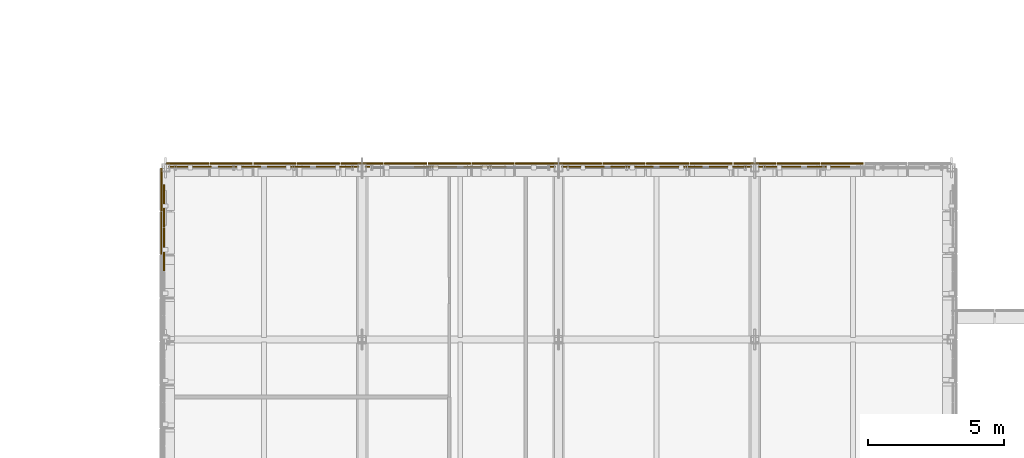
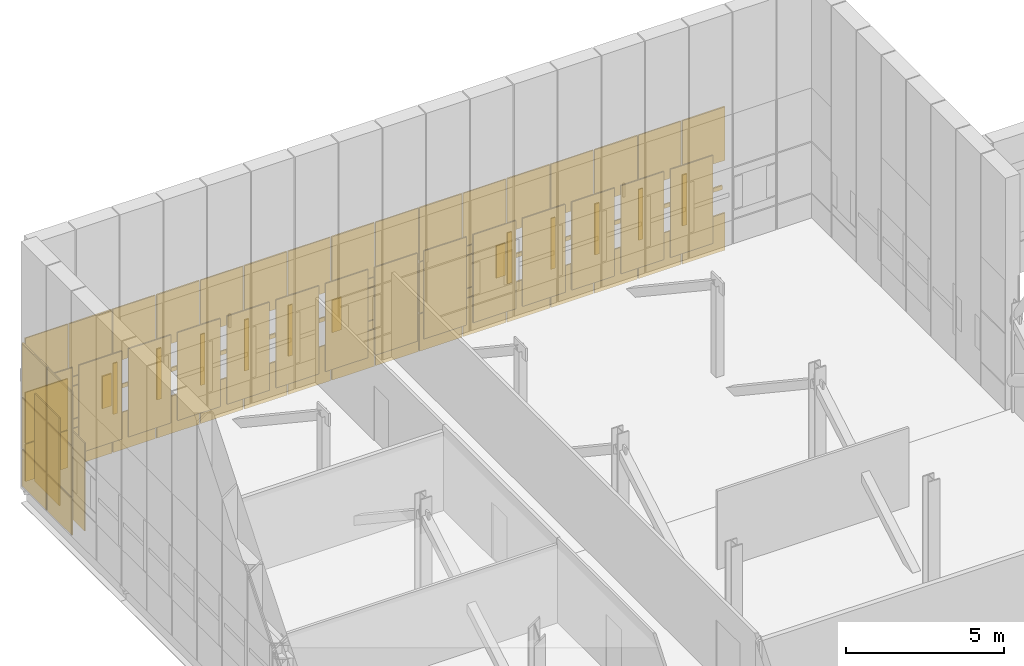
# One storey, part 138 of 144: 73 coverings, 16 shading devices.
"""IFC4 building model written with IfcOpenShell, lengths in metres."""

from ifc_helpers import new_model, si_unit, direction, frame, origin, origin_2d, place, context, subcontext, project, spatial, rectangle, extrude, material, layer, layer_set, type_object, element, save


model = new_model("IFC4")

# Units and contexts
model_context = context("Model", 3, precision=1e-05, world=origin(), true_north=direction((0.0, 1.0)))
body_context = subcontext(model_context, "Body", "Model", "MODEL_VIEW")
ifc_project = project(units=[si_unit("LENGTHUNIT", "METRE"), si_unit("AREAUNIT", "SQUARE_METRE"), si_unit("VOLUMEUNIT", "CUBIC_METRE"), si_unit("PLANEANGLEUNIT", "RADIAN"), si_unit("MASSUNIT", "GRAM", prefix="KILO")], contexts=[model_context])

# Site, building, storey
site_placement = place(None, origin())
site = spatial("IfcSite", under=ifc_project, at=site_placement, CompositionType="ELEMENT")
building_placement = place(site_placement, origin())
building = spatial("IfcBuilding", under=site, at=building_placement, Name="Yarey Park Central Fire Station", CompositionType="ELEMENT")
storey_placement = place(building_placement, frame((0.0, 0.0, 10.199951171875)))
storey = spatial("IfcBuildingStorey", under=building, at=storey_placement, Name="L03", CompositionType="ELEMENT", Elevation=10.199951171875)

# Coverings
ifc_material_1 = material(Name="Perforated Powder-Coated Aluminium Cladding", Category="aluminium")
ifc_layer_1 = layer(ifc_material_1, 0.0419921875)
ifc_layer_set_1 = layer_set([ifc_layer_1], Name="Perforated Powder-Coated Aluminium Cladding")
covering_type_1 = type_object("IfcCoveringType", Name="ENV_COV_PERF_1", PredefinedType="CLADDING", material=ifc_layer_set_1)
covering_1_placement = place(storey_placement, frame((28.639892578125, 96.611572265625, -0.5048828125), z_axis=(0.0, 0.0, 1.0), x_axis=(0.0, 1.0, 0.0)))
element("IfcCovering", 1, at=covering_1_placement, inside=storey, type_object=covering_type_1, Name="PERF_L03_0773", PredefinedType="CLADDING", context=body_context, shape_type="SweptSolid", body=[
    extrude(rectangle(XDim=1.55224609375, YDim=0.0419921875, at=origin_2d()), origin(), (0.0, 0.0, 1.0), 1.43994140625),
])
covering_2_placement = place(storey_placement, frame((28.639892578125, 96.611572265625, 0.96484375), z_axis=(0.0, 0.0, 1.0), x_axis=(0.0, 1.0, 0.0)))
element("IfcCovering", 2, at=covering_2_placement, inside=storey, type_object=covering_type_1, Name="PERF_L03_0774", PredefinedType="CLADDING", context=body_context, shape_type="SweptSolid", body=[
    extrude(rectangle(XDim=1.55224609375, YDim=0.0419921875, at=origin_2d()), origin(), (0.0, 0.0, 1.0), 1.969970703125),
])
covering_3_placement = place(storey_placement, frame((28.639892578125, 96.611572265625, 2.96484375), z_axis=(0.0, 0.0, 1.0), x_axis=(0.0, 1.0, 0.0)))
element("IfcCovering", 3, at=covering_3_placement, inside=storey, type_object=covering_type_1, Name="PERF_L03_0775", PredefinedType="CLADDING", context=body_context, shape_type="SweptSolid", body=[
    extrude(rectangle(XDim=1.55224609375, YDim=0.0419921875, at=origin_2d()), origin(), (0.0, 0.0, 1.0), 2.070068359375),
])
covering_4_placement = place(storey_placement, frame((29.60009765625, 99.159912109375, -0.5048828125), z_axis=(0.0, 0.0, 1.0), x_axis=(1.0, 0.0, 0.0)))
element("IfcCovering", 4, at=covering_4_placement, inside=storey, type_object=covering_type_1, Name="PERF_L03_0783", PredefinedType="CLADDING", context=body_context, shape_type="SweptSolid", body=[
    extrude(rectangle(XDim=1.56005859375, YDim=0.0419921875, at=origin_2d()), origin(), (0.0, 0.0, 1.0), 1.43994140625),
])
covering_5_placement = place(storey_placement, frame((29.60009765625, 99.159912109375, 0.96484375), z_axis=(0.0, 0.0, 1.0), x_axis=(1.0, 0.0, 0.0)))
element("IfcCovering", 5, at=covering_5_placement, inside=storey, type_object=covering_type_1, Name="PERF_L03_0784", PredefinedType="CLADDING", context=body_context, shape_type="SweptSolid", body=[
    extrude(rectangle(XDim=1.56005859375, YDim=0.0419921875, at=origin_2d()), origin(), (0.0, 0.0, 1.0), 1.969970703125),
])
covering_6_placement = place(storey_placement, frame((29.60009765625, 99.159912109375, 2.96484375), z_axis=(0.0, 0.0, 1.0), x_axis=(1.0, 0.0, 0.0)))
element("IfcCovering", 6, at=covering_6_placement, inside=storey, type_object=covering_type_1, Name="PERF_L03_0785", PredefinedType="CLADDING", context=body_context, shape_type="SweptSolid", body=[
    extrude(rectangle(XDim=1.56005859375, YDim=0.0419921875, at=origin_2d()), origin(), (0.0, 0.0, 1.0), 2.070068359375),
])
covering_7_placement = place(storey_placement, frame((32.800048828125, 99.159912109375, -0.5048828125), z_axis=(0.0, 0.0, 1.0), x_axis=(1.0, 0.0, 0.0)))
element("IfcCovering", 7, at=covering_7_placement, inside=storey, type_object=covering_type_1, Name="PERF_L03_0799", PredefinedType="CLADDING", context=body_context, shape_type="SweptSolid", body=[
    extrude(rectangle(XDim=1.56005859375, YDim=0.0419921875, at=origin_2d()), origin(), (0.0, 0.0, 1.0), 1.43994140625),
])
covering_8_placement = place(storey_placement, frame((32.110107421875, 99.159912109375, 0.96484375), z_axis=(0.0, 0.0, 1.0), x_axis=(1.0, 0.0, 0.0)))
element("IfcCovering", 8, at=covering_8_placement, inside=storey, type_object=covering_type_1, Name="PERF_L03_0800", PredefinedType="CLADDING", context=body_context, shape_type="SweptSolid", body=[
    extrude(rectangle(XDim=0.159912109375, YDim=0.0419921875, at=origin_2d()), origin(), (0.0, 0.0, 1.0), 1.969970703125),
])
covering_9_placement = place(storey_placement, frame((32.800048828125, 99.159912109375, 1.8701171875), z_axis=(0.0, 0.0, 1.0), x_axis=(1.0, 0.0, 0.0)))
element("IfcCovering", 9, at=covering_9_placement, inside=storey, type_object=covering_type_1, Name="PERF_L03_0801", PredefinedType="CLADDING", context=body_context, shape_type="SweptSolid", body=[
    extrude(rectangle(XDim=1.360107421875, YDim=0.0419921875, at=origin_2d()), origin(), (0.0, 0.0, 1.0), 0.159912109375),
])
covering_10_placement = place(storey_placement, frame((32.800048828125, 99.159912109375, 2.96484375), z_axis=(0.0, 0.0, 1.0), x_axis=(1.0, 0.0, 0.0)))
element("IfcCovering", 10, at=covering_10_placement, inside=storey, type_object=covering_type_1, Name="PERF_L03_0802", PredefinedType="CLADDING", context=body_context, shape_type="SweptSolid", body=[
    extrude(rectangle(XDim=1.56005859375, YDim=0.0419921875, at=origin_2d()), origin(), (0.0, 0.0, 1.0), 2.070068359375),
])
covering_11_placement = place(storey_placement, frame((36.0, 99.159912109375, -0.5048828125), z_axis=(0.0, 0.0, 1.0), x_axis=(1.0, 0.0, 0.0)))
element("IfcCovering", 11, at=covering_11_placement, inside=storey, type_object=covering_type_1, Name="PERF_L03_0813", PredefinedType="CLADDING", context=body_context, shape_type="SweptSolid", body=[
    extrude(rectangle(XDim=1.56005859375, YDim=0.0419921875, at=origin_2d()), origin(), (0.0, 0.0, 1.0), 1.43994140625),
])
covering_12_placement = place(storey_placement, frame((35.31005859375, 99.159912109375, 0.96484375), z_axis=(0.0, 0.0, 1.0), x_axis=(1.0, 0.0, 0.0)))
element("IfcCovering", 12, at=covering_12_placement, inside=storey, type_object=covering_type_1, Name="PERF_L03_0814", PredefinedType="CLADDING", context=body_context, shape_type="SweptSolid", body=[
    extrude(rectangle(XDim=0.159912109375, YDim=0.0419921875, at=origin_2d()), origin(), (0.0, 0.0, 1.0), 1.969970703125),
])
covering_13_placement = place(storey_placement, frame((36.0, 99.159912109375, 1.8701171875), z_axis=(0.0, 0.0, 1.0), x_axis=(1.0, 0.0, 0.0)))
element("IfcCovering", 13, at=covering_13_placement, inside=storey, type_object=covering_type_1, Name="PERF_L03_0815", PredefinedType="CLADDING", context=body_context, shape_type="SweptSolid", body=[
    extrude(rectangle(XDim=1.360107421875, YDim=0.0419921875, at=origin_2d()), origin(), (0.0, 0.0, 1.0), 0.159912109375),
])
covering_14_placement = place(storey_placement, frame((36.0, 99.159912109375, 2.96484375), z_axis=(0.0, 0.0, 1.0), x_axis=(1.0, 0.0, 0.0)))
element("IfcCovering", 14, at=covering_14_placement, inside=storey, type_object=covering_type_1, Name="PERF_L03_0816", PredefinedType="CLADDING", context=body_context, shape_type="SweptSolid", body=[
    extrude(rectangle(XDim=1.56005859375, YDim=0.0419921875, at=origin_2d()), origin(), (0.0, 0.0, 1.0), 2.070068359375),
])
covering_15_placement = place(storey_placement, frame((39.199951171875, 99.159912109375, -0.5048828125), z_axis=(0.0, 0.0, 1.0), x_axis=(1.0, 0.0, 0.0)))
element("IfcCovering", 15, at=covering_15_placement, inside=storey, type_object=covering_type_1, Name="PERF_L03_0827", PredefinedType="CLADDING", context=body_context, shape_type="SweptSolid", body=[
    extrude(rectangle(XDim=1.56005859375, YDim=0.0419921875, at=origin_2d()), origin(), (0.0, 0.0, 1.0), 1.43994140625),
])
covering_16_placement = place(storey_placement, frame((38.510009765625, 99.159912109375, 0.96484375), z_axis=(0.0, 0.0, 1.0), x_axis=(1.0, 0.0, 0.0)))
element("IfcCovering", 16, at=covering_16_placement, inside=storey, type_object=covering_type_1, Name="PERF_L03_0828", PredefinedType="CLADDING", context=body_context, shape_type="SweptSolid", body=[
    extrude(rectangle(XDim=0.159912109375, YDim=0.0419921875, at=origin_2d()), origin(), (0.0, 0.0, 1.0), 1.969970703125),
])
covering_17_placement = place(storey_placement, frame((39.199951171875, 99.159912109375, 1.8701171875), z_axis=(0.0, 0.0, 1.0), x_axis=(1.0, 0.0, 0.0)))
element("IfcCovering", 17, at=covering_17_placement, inside=storey, type_object=covering_type_1, Name="PERF_L03_0829", PredefinedType="CLADDING", context=body_context, shape_type="SweptSolid", body=[
    extrude(rectangle(XDim=1.360107421875, YDim=0.0419921875, at=origin_2d()), origin(), (0.0, 0.0, 1.0), 0.159912109375),
])
covering_18_placement = place(storey_placement, frame((39.199951171875, 99.159912109375, 2.96484375), z_axis=(0.0, 0.0, 1.0), x_axis=(1.0, 0.0, 0.0)))
element("IfcCovering", 18, at=covering_18_placement, inside=storey, type_object=covering_type_1, Name="PERF_L03_0830", PredefinedType="CLADDING", context=body_context, shape_type="SweptSolid", body=[
    extrude(rectangle(XDim=1.56005859375, YDim=0.0419921875, at=origin_2d()), origin(), (0.0, 0.0, 1.0), 2.070068359375),
])
covering_19_placement = place(storey_placement, frame((42.39990234375, 99.159912109375, -0.5048828125), z_axis=(0.0, 0.0, 1.0), x_axis=(1.0, 0.0, 0.0)))
element("IfcCovering", 19, at=covering_19_placement, inside=storey, type_object=covering_type_1, Name="PERF_L03_0845", PredefinedType="CLADDING", context=body_context, shape_type="SweptSolid", body=[
    extrude(rectangle(XDim=1.56005859375, YDim=0.0419921875, at=origin_2d()), origin(), (0.0, 0.0, 1.0), 1.43994140625),
])
covering_20_placement = place(storey_placement, frame((42.39990234375, 99.159912109375, 0.96484375), z_axis=(0.0, 0.0, 1.0), x_axis=(1.0, 0.0, 0.0)))
element("IfcCovering", 20, at=covering_20_placement, inside=storey, type_object=covering_type_1, Name="PERF_L03_0846", PredefinedType="CLADDING", context=body_context, shape_type="SweptSolid", body=[
    extrude(rectangle(XDim=1.56005859375, YDim=0.0419921875, at=origin_2d()), origin(), (0.0, 0.0, 1.0), 1.969970703125),
])
covering_21_placement = place(storey_placement, frame((42.39990234375, 99.159912109375, 2.96484375), z_axis=(0.0, 0.0, 1.0), x_axis=(1.0, 0.0, 0.0)))
element("IfcCovering", 21, at=covering_21_placement, inside=storey, type_object=covering_type_1, Name="PERF_L03_0847", PredefinedType="CLADDING", context=body_context, shape_type="SweptSolid", body=[
    extrude(rectangle(XDim=1.56005859375, YDim=0.0419921875, at=origin_2d()), origin(), (0.0, 0.0, 1.0), 2.070068359375),
])
covering_22_placement = place(storey_placement, frame((45.60009765625, 99.159912109375, -0.5048828125), z_axis=(0.0, 0.0, 1.0), x_axis=(1.0, 0.0, 0.0)))
element("IfcCovering", 22, at=covering_22_placement, inside=storey, type_object=covering_type_1, Name="PERF_L03_0855", PredefinedType="CLADDING", context=body_context, shape_type="SweptSolid", body=[
    extrude(rectangle(XDim=1.56005859375, YDim=0.0419921875, at=origin_2d()), origin(), (0.0, 0.0, 1.0), 1.43994140625),
])
for number, where, z_axis, x_axis, name in (
    (23, (45.60009765625, 99.159912109375, 0.9599609375), (0.0, 0.0, 1.0), (1.0, 0.0, 0.0), "PERF_L03_0856"),
    (24, (45.60009765625, 99.159912109375, 2.60009765625), (0.0, 0.0, 1.0), (1.0, 0.0, 0.0), "PERF_L03_0857"),
):
    element("IfcCovering", number, at=place(storey_placement, frame(where, z_axis=z_axis, x_axis=x_axis)), inside=storey, type_object=covering_type_1, Name=name, PredefinedType="CLADDING", context=body_context, shape_type="SweptSolid", body=[
        extrude(rectangle(XDim=1.56005859375, YDim=0.0419921875, at=origin_2d()), origin(), (0.0, 0.0, 1.0), 0.340087890625),
    ])
for number, where, z_axis, x_axis, name in (
    (25, (45.0, 99.159912109375, 1.324951171875), (0.0, 0.0, 1.0), (1.0, 0.0, 0.0), "PERF_L03_0858"),
    (26, (46.199951171875, 99.159912109375, 1.324951171875), (0.0, 0.0, 1.0), (1.0, 0.0, 0.0), "PERF_L03_0859"),
):
    element("IfcCovering", number, at=place(storey_placement, frame(where, z_axis=z_axis, x_axis=x_axis)), inside=storey, type_object=covering_type_1, Name=name, PredefinedType="CLADDING", context=body_context, shape_type="SweptSolid", body=[
        extrude(rectangle(XDim=0.340087890625, YDim=0.0419921875, at=origin_2d()), origin(), (0.0, 0.0, 1.0), 1.25),
    ])
covering_23_placement = place(storey_placement, frame((45.60009765625, 99.159912109375, 2.96484375), z_axis=(0.0, 0.0, 1.0), x_axis=(1.0, 0.0, 0.0)))
element("IfcCovering", 27, at=covering_23_placement, inside=storey, type_object=covering_type_1, Name="PERF_L03_0860", PredefinedType="CLADDING", context=body_context, shape_type="SweptSolid", body=[
    extrude(rectangle(XDim=1.56005859375, YDim=0.0419921875, at=origin_2d()), origin(), (0.0, 0.0, 1.0), 2.070068359375),
])
covering_24_placement = place(storey_placement, frame((48.800048828125, 99.159912109375, -0.5048828125), z_axis=(0.0, 0.0, 1.0), x_axis=(1.0, 0.0, 0.0)))
element("IfcCovering", 28, at=covering_24_placement, inside=storey, type_object=covering_type_1, Name="PERF_L03_0873", PredefinedType="CLADDING", context=body_context, shape_type="SweptSolid", body=[
    extrude(rectangle(XDim=1.56005859375, YDim=0.0419921875, at=origin_2d()), origin(), (0.0, 0.0, 1.0), 1.43994140625),
])
covering_25_placement = place(storey_placement, frame((48.110107421875, 99.159912109375, 0.96484375), z_axis=(0.0, 0.0, 1.0), x_axis=(1.0, 0.0, 0.0)))
element("IfcCovering", 29, at=covering_25_placement, inside=storey, type_object=covering_type_1, Name="PERF_L03_0874", PredefinedType="CLADDING", context=body_context, shape_type="SweptSolid", body=[
    extrude(rectangle(XDim=0.159912109375, YDim=0.0419921875, at=origin_2d()), origin(), (0.0, 0.0, 1.0), 1.969970703125),
])
covering_26_placement = place(storey_placement, frame((48.800048828125, 99.159912109375, 1.8701171875), z_axis=(0.0, 0.0, 1.0), x_axis=(1.0, 0.0, 0.0)))
element("IfcCovering", 30, at=covering_26_placement, inside=storey, type_object=covering_type_1, Name="PERF_L03_0875", PredefinedType="CLADDING", context=body_context, shape_type="SweptSolid", body=[
    extrude(rectangle(XDim=1.360107421875, YDim=0.0419921875, at=origin_2d()), origin(), (0.0, 0.0, 1.0), 0.159912109375),
])
covering_27_placement = place(storey_placement, frame((48.800048828125, 99.159912109375, 2.96484375), z_axis=(0.0, 0.0, 1.0), x_axis=(1.0, 0.0, 0.0)))
element("IfcCovering", 31, at=covering_27_placement, inside=storey, type_object=covering_type_1, Name="PERF_L03_0876", PredefinedType="CLADDING", context=body_context, shape_type="SweptSolid", body=[
    extrude(rectangle(XDim=1.56005859375, YDim=0.0419921875, at=origin_2d()), origin(), (0.0, 0.0, 1.0), 2.070068359375),
])
covering_28_placement = place(storey_placement, frame((52.0, 99.159912109375, -0.5048828125), z_axis=(0.0, 0.0, 1.0), x_axis=(1.0, 0.0, 0.0)))
element("IfcCovering", 32, at=covering_28_placement, inside=storey, type_object=covering_type_1, Name="PERF_L03_0887", PredefinedType="CLADDING", context=body_context, shape_type="SweptSolid", body=[
    extrude(rectangle(XDim=1.56005859375, YDim=0.0419921875, at=origin_2d()), origin(), (0.0, 0.0, 1.0), 1.43994140625),
])
covering_29_placement = place(storey_placement, frame((51.31005859375, 99.159912109375, 0.96484375), z_axis=(0.0, 0.0, 1.0), x_axis=(1.0, 0.0, 0.0)))
element("IfcCovering", 33, at=covering_29_placement, inside=storey, type_object=covering_type_1, Name="PERF_L03_0888", PredefinedType="CLADDING", context=body_context, shape_type="SweptSolid", body=[
    extrude(rectangle(XDim=0.159912109375, YDim=0.0419921875, at=origin_2d()), origin(), (0.0, 0.0, 1.0), 1.969970703125),
])
covering_30_placement = place(storey_placement, frame((52.0, 99.159912109375, 1.8701171875), z_axis=(0.0, 0.0, 1.0), x_axis=(1.0, 0.0, 0.0)))
element("IfcCovering", 34, at=covering_30_placement, inside=storey, type_object=covering_type_1, Name="PERF_L03_0889", PredefinedType="CLADDING", context=body_context, shape_type="SweptSolid", body=[
    extrude(rectangle(XDim=1.360107421875, YDim=0.0419921875, at=origin_2d()), origin(), (0.0, 0.0, 1.0), 0.159912109375),
])
covering_31_placement = place(storey_placement, frame((52.0, 99.159912109375, 2.96484375), z_axis=(0.0, 0.0, 1.0), x_axis=(1.0, 0.0, 0.0)))
element("IfcCovering", 35, at=covering_31_placement, inside=storey, type_object=covering_type_1, Name="PERF_L03_0890", PredefinedType="CLADDING", context=body_context, shape_type="SweptSolid", body=[
    extrude(rectangle(XDim=1.56005859375, YDim=0.0419921875, at=origin_2d()), origin(), (0.0, 0.0, 1.0), 2.070068359375),
])
ifc_layer_2 = layer(ifc_material_1, 0.053955078125)
ifc_layer_set_2 = layer_set([ifc_layer_2], Name="Perforated Powder-Coated Aluminium Cladding")
covering_type_2 = type_object("IfcCoveringType", Name="ENV_COV_PERF_2", PredefinedType="CLADDING", material=ifc_layer_set_2)
covering_32_placement = place(storey_placement, frame((28.639892578125, 98.203857421875, -0.5048828125), z_axis=(0.0, 0.0, 1.0), x_axis=(0.0, 1.0, 0.0)))
element("IfcCovering", 36, at=covering_32_placement, inside=storey, type_object=covering_type_2, Name="PERF_L03_0778", PredefinedType="CLADDING", context=body_context, shape_type="SweptSolid", body=[
    extrude(rectangle(XDim=1.55224609375, YDim=0.053955078125, at=origin_2d()), origin(), (0.0, 0.0, 1.0), 1.43994140625),
])
covering_33_placement = place(storey_placement, frame((28.639892578125, 98.203857421875, 0.96484375), z_axis=(0.0, 0.0, 1.0), x_axis=(0.0, 1.0, 0.0)))
element("IfcCovering", 37, at=covering_33_placement, inside=storey, type_object=covering_type_2, Name="PERF_L03_0779", PredefinedType="CLADDING", context=body_context, shape_type="SweptSolid", body=[
    extrude(rectangle(XDim=1.55224609375, YDim=0.053955078125, at=origin_2d()), origin(), (0.0, 0.0, 1.0), 1.969970703125),
])
covering_34_placement = place(storey_placement, frame((28.639892578125, 98.203857421875, 2.96484375), z_axis=(0.0, 0.0, 1.0), x_axis=(0.0, 1.0, 0.0)))
element("IfcCovering", 38, at=covering_34_placement, inside=storey, type_object=covering_type_2, Name="PERF_L03_0780", PredefinedType="CLADDING", context=body_context, shape_type="SweptSolid", body=[
    extrude(rectangle(XDim=1.55224609375, YDim=0.053955078125, at=origin_2d()), origin(), (0.0, 0.0, 1.0), 2.070068359375),
])
covering_35_placement = place(storey_placement, frame((31.199951171875, 99.159912109375, -0.5048828125), z_axis=(0.0, 0.0, 1.0), x_axis=(1.0, 0.0, 0.0)))
element("IfcCovering", 39, at=covering_35_placement, inside=storey, type_object=covering_type_2, Name="PERF_L03_0788", PredefinedType="CLADDING", context=body_context, shape_type="SweptSolid", body=[
    extrude(rectangle(XDim=1.56005859375, YDim=0.053955078125, at=origin_2d()), origin(), (0.0, 0.0, 1.0), 1.43994140625),
])
for number, where, z_axis, x_axis, name in (
    (40, (31.199951171875, 99.159912109375, 0.9599609375), (0.0, 0.0, 1.0), (1.0, 0.0, 0.0), "PERF_L03_0789"),
    (41, (31.199951171875, 99.159912109375, 2.60009765625), (0.0, 0.0, 1.0), (1.0, 0.0, 0.0), "PERF_L03_0790"),
):
    element("IfcCovering", number, at=place(storey_placement, frame(where, z_axis=z_axis, x_axis=x_axis)), inside=storey, type_object=covering_type_2, Name=name, PredefinedType="CLADDING", context=body_context, shape_type="SweptSolid", body=[
        extrude(rectangle(XDim=1.56005859375, YDim=0.053955078125, at=origin_2d()), origin(), (0.0, 0.0, 1.0), 0.340087890625),
    ])
for number, where, z_axis, x_axis, name in (
    (42, (30.60009765625, 99.159912109375, 1.324951171875), (0.0, 0.0, 1.0), (1.0, 0.0, 0.0), "PERF_L03_0791"),
    (43, (31.800048828125, 99.159912109375, 1.324951171875), (0.0, 0.0, 1.0), (1.0, 0.0, 0.0), "PERF_L03_0792"),
):
    element("IfcCovering", number, at=place(storey_placement, frame(where, z_axis=z_axis, x_axis=x_axis)), inside=storey, type_object=covering_type_2, Name=name, PredefinedType="CLADDING", context=body_context, shape_type="SweptSolid", body=[
        extrude(rectangle(XDim=0.340087890625, YDim=0.053955078125, at=origin_2d()), origin(), (0.0, 0.0, 1.0), 1.25),
    ])
covering_36_placement = place(storey_placement, frame((31.199951171875, 99.159912109375, 2.96484375), z_axis=(0.0, 0.0, 1.0), x_axis=(1.0, 0.0, 0.0)))
element("IfcCovering", 44, at=covering_36_placement, inside=storey, type_object=covering_type_2, Name="PERF_L03_0793", PredefinedType="CLADDING", context=body_context, shape_type="SweptSolid", body=[
    extrude(rectangle(XDim=1.56005859375, YDim=0.053955078125, at=origin_2d()), origin(), (0.0, 0.0, 1.0), 2.070068359375),
])
covering_37_placement = place(storey_placement, frame((34.39990234375, 99.159912109375, -0.5048828125), z_axis=(0.0, 0.0, 1.0), x_axis=(1.0, 0.0, 0.0)))
element("IfcCovering", 45, at=covering_37_placement, inside=storey, type_object=covering_type_2, Name="PERF_L03_0806", PredefinedType="CLADDING", context=body_context, shape_type="SweptSolid", body=[
    extrude(rectangle(XDim=1.56005859375, YDim=0.053955078125, at=origin_2d()), origin(), (0.0, 0.0, 1.0), 1.43994140625),
])
covering_38_placement = place(storey_placement, frame((33.7099609375, 99.159912109375, 0.96484375), z_axis=(0.0, 0.0, 1.0), x_axis=(1.0, 0.0, 0.0)))
element("IfcCovering", 46, at=covering_38_placement, inside=storey, type_object=covering_type_2, Name="PERF_L03_0807", PredefinedType="CLADDING", context=body_context, shape_type="SweptSolid", body=[
    extrude(rectangle(XDim=0.159912109375, YDim=0.053955078125, at=origin_2d()), origin(), (0.0, 0.0, 1.0), 1.969970703125),
])
covering_39_placement = place(storey_placement, frame((34.39990234375, 99.159912109375, 1.8701171875), z_axis=(0.0, 0.0, 1.0), x_axis=(1.0, 0.0, 0.0)))
element("IfcCovering", 47, at=covering_39_placement, inside=storey, type_object=covering_type_2, Name="PERF_L03_0808", PredefinedType="CLADDING", context=body_context, shape_type="SweptSolid", body=[
    extrude(rectangle(XDim=1.360107421875, YDim=0.053955078125, at=origin_2d()), origin(), (0.0, 0.0, 1.0), 0.159912109375),
])
covering_40_placement = place(storey_placement, frame((34.39990234375, 99.159912109375, 2.96484375), z_axis=(0.0, 0.0, 1.0), x_axis=(1.0, 0.0, 0.0)))
element("IfcCovering", 48, at=covering_40_placement, inside=storey, type_object=covering_type_2, Name="PERF_L03_0809", PredefinedType="CLADDING", context=body_context, shape_type="SweptSolid", body=[
    extrude(rectangle(XDim=1.56005859375, YDim=0.053955078125, at=origin_2d()), origin(), (0.0, 0.0, 1.0), 2.070068359375),
])
covering_41_placement = place(storey_placement, frame((37.60009765625, 99.159912109375, -0.5048828125), z_axis=(0.0, 0.0, 1.0), x_axis=(1.0, 0.0, 0.0)))
element("IfcCovering", 49, at=covering_41_placement, inside=storey, type_object=covering_type_2, Name="PERF_L03_0820", PredefinedType="CLADDING", context=body_context, shape_type="SweptSolid", body=[
    extrude(rectangle(XDim=1.56005859375, YDim=0.053955078125, at=origin_2d()), origin(), (0.0, 0.0, 1.0), 1.43994140625),
])
covering_42_placement = place(storey_placement, frame((36.909912109375, 99.159912109375, 0.96484375), z_axis=(0.0, 0.0, 1.0), x_axis=(1.0, 0.0, 0.0)))
element("IfcCovering", 50, at=covering_42_placement, inside=storey, type_object=covering_type_2, Name="PERF_L03_0821", PredefinedType="CLADDING", context=body_context, shape_type="SweptSolid", body=[
    extrude(rectangle(XDim=0.159912109375, YDim=0.053955078125, at=origin_2d()), origin(), (0.0, 0.0, 1.0), 1.969970703125),
])
covering_43_placement = place(storey_placement, frame((37.60009765625, 99.159912109375, 1.8701171875), z_axis=(0.0, 0.0, 1.0), x_axis=(1.0, 0.0, 0.0)))
element("IfcCovering", 51, at=covering_43_placement, inside=storey, type_object=covering_type_2, Name="PERF_L03_0822", PredefinedType="CLADDING", context=body_context, shape_type="SweptSolid", body=[
    extrude(rectangle(XDim=1.360107421875, YDim=0.053955078125, at=origin_2d()), origin(), (0.0, 0.0, 1.0), 0.159912109375),
])
covering_44_placement = place(storey_placement, frame((37.60009765625, 99.159912109375, 2.96484375), z_axis=(0.0, 0.0, 1.0), x_axis=(1.0, 0.0, 0.0)))
element("IfcCovering", 52, at=covering_44_placement, inside=storey, type_object=covering_type_2, Name="PERF_L03_0823", PredefinedType="CLADDING", context=body_context, shape_type="SweptSolid", body=[
    extrude(rectangle(XDim=1.56005859375, YDim=0.053955078125, at=origin_2d()), origin(), (0.0, 0.0, 1.0), 2.070068359375),
])
covering_45_placement = place(storey_placement, frame((40.800048828125, 99.159912109375, -0.5048828125), z_axis=(0.0, 0.0, 1.0), x_axis=(1.0, 0.0, 0.0)))
element("IfcCovering", 53, at=covering_45_placement, inside=storey, type_object=covering_type_2, Name="PERF_L03_0834", PredefinedType="CLADDING", context=body_context, shape_type="SweptSolid", body=[
    extrude(rectangle(XDim=1.56005859375, YDim=0.053955078125, at=origin_2d()), origin(), (0.0, 0.0, 1.0), 1.43994140625),
])
for number, where, z_axis, x_axis, name in (
    (54, (40.800048828125, 99.159912109375, 0.9599609375), (0.0, 0.0, 1.0), (1.0, 0.0, 0.0), "PERF_L03_0835"),
    (55, (40.800048828125, 99.159912109375, 2.60009765625), (0.0, 0.0, 1.0), (1.0, 0.0, 0.0), "PERF_L03_0836"),
):
    element("IfcCovering", number, at=place(storey_placement, frame(where, z_axis=z_axis, x_axis=x_axis)), inside=storey, type_object=covering_type_2, Name=name, PredefinedType="CLADDING", context=body_context, shape_type="SweptSolid", body=[
        extrude(rectangle(XDim=1.56005859375, YDim=0.053955078125, at=origin_2d()), origin(), (0.0, 0.0, 1.0), 0.340087890625),
    ])
for number, where, z_axis, x_axis, name in (
    (56, (40.199951171875, 99.159912109375, 1.324951171875), (0.0, 0.0, 1.0), (1.0, 0.0, 0.0), "PERF_L03_0837"),
    (57, (41.39990234375, 99.159912109375, 1.324951171875), (0.0, 0.0, 1.0), (1.0, 0.0, 0.0), "PERF_L03_0838"),
):
    element("IfcCovering", number, at=place(storey_placement, frame(where, z_axis=z_axis, x_axis=x_axis)), inside=storey, type_object=covering_type_2, Name=name, PredefinedType="CLADDING", context=body_context, shape_type="SweptSolid", body=[
        extrude(rectangle(XDim=0.340087890625, YDim=0.053955078125, at=origin_2d()), origin(), (0.0, 0.0, 1.0), 1.25),
    ])
covering_46_placement = place(storey_placement, frame((40.800048828125, 99.159912109375, 2.96484375), z_axis=(0.0, 0.0, 1.0), x_axis=(1.0, 0.0, 0.0)))
element("IfcCovering", 58, at=covering_46_placement, inside=storey, type_object=covering_type_2, Name="PERF_L03_0839", PredefinedType="CLADDING", context=body_context, shape_type="SweptSolid", body=[
    extrude(rectangle(XDim=1.56005859375, YDim=0.053955078125, at=origin_2d()), origin(), (0.0, 0.0, 1.0), 2.070068359375),
])
covering_47_placement = place(storey_placement, frame((44.0, 99.159912109375, -0.5048828125), z_axis=(0.0, 0.0, 1.0), x_axis=(1.0, 0.0, 0.0)))
element("IfcCovering", 59, at=covering_47_placement, inside=storey, type_object=covering_type_2, Name="PERF_L03_0850", PredefinedType="CLADDING", context=body_context, shape_type="SweptSolid", body=[
    extrude(rectangle(XDim=1.56005859375, YDim=0.053955078125, at=origin_2d()), origin(), (0.0, 0.0, 1.0), 1.43994140625),
])
covering_48_placement = place(storey_placement, frame((44.0, 99.159912109375, 0.96484375), z_axis=(0.0, 0.0, 1.0), x_axis=(1.0, 0.0, 0.0)))
element("IfcCovering", 60, at=covering_48_placement, inside=storey, type_object=covering_type_2, Name="PERF_L03_0851", PredefinedType="CLADDING", context=body_context, shape_type="SweptSolid", body=[
    extrude(rectangle(XDim=1.56005859375, YDim=0.053955078125, at=origin_2d()), origin(), (0.0, 0.0, 1.0), 1.969970703125),
])
covering_49_placement = place(storey_placement, frame((44.0, 99.159912109375, 2.96484375), z_axis=(0.0, 0.0, 1.0), x_axis=(1.0, 0.0, 0.0)))
element("IfcCovering", 61, at=covering_49_placement, inside=storey, type_object=covering_type_2, Name="PERF_L03_0852", PredefinedType="CLADDING", context=body_context, shape_type="SweptSolid", body=[
    extrude(rectangle(XDim=1.56005859375, YDim=0.053955078125, at=origin_2d()), origin(), (0.0, 0.0, 1.0), 2.070068359375),
])
covering_50_placement = place(storey_placement, frame((47.199951171875, 99.159912109375, -0.5048828125), z_axis=(0.0, 0.0, 1.0), x_axis=(1.0, 0.0, 0.0)))
element("IfcCovering", 62, at=covering_50_placement, inside=storey, type_object=covering_type_2, Name="PERF_L03_0866", PredefinedType="CLADDING", context=body_context, shape_type="SweptSolid", body=[
    extrude(rectangle(XDim=1.56005859375, YDim=0.053955078125, at=origin_2d()), origin(), (0.0, 0.0, 1.0), 1.43994140625),
])
covering_51_placement = place(storey_placement, frame((46.510009765625, 99.159912109375, 0.96484375), z_axis=(0.0, 0.0, 1.0), x_axis=(1.0, 0.0, 0.0)))
element("IfcCovering", 63, at=covering_51_placement, inside=storey, type_object=covering_type_2, Name="PERF_L03_0867", PredefinedType="CLADDING", context=body_context, shape_type="SweptSolid", body=[
    extrude(rectangle(XDim=0.159912109375, YDim=0.053955078125, at=origin_2d()), origin(), (0.0, 0.0, 1.0), 1.969970703125),
])
covering_52_placement = place(storey_placement, frame((47.199951171875, 99.159912109375, 1.8701171875), z_axis=(0.0, 0.0, 1.0), x_axis=(1.0, 0.0, 0.0)))
element("IfcCovering", 64, at=covering_52_placement, inside=storey, type_object=covering_type_2, Name="PERF_L03_0868", PredefinedType="CLADDING", context=body_context, shape_type="SweptSolid", body=[
    extrude(rectangle(XDim=1.360107421875, YDim=0.053955078125, at=origin_2d()), origin(), (0.0, 0.0, 1.0), 0.159912109375),
])
covering_53_placement = place(storey_placement, frame((47.199951171875, 99.159912109375, 2.96484375), z_axis=(0.0, 0.0, 1.0), x_axis=(1.0, 0.0, 0.0)))
element("IfcCovering", 65, at=covering_53_placement, inside=storey, type_object=covering_type_2, Name="PERF_L03_0869", PredefinedType="CLADDING", context=body_context, shape_type="SweptSolid", body=[
    extrude(rectangle(XDim=1.56005859375, YDim=0.053955078125, at=origin_2d()), origin(), (0.0, 0.0, 1.0), 2.070068359375),
])
covering_54_placement = place(storey_placement, frame((50.39990234375, 99.159912109375, -0.5048828125), z_axis=(0.0, 0.0, 1.0), x_axis=(1.0, 0.0, 0.0)))
element("IfcCovering", 66, at=covering_54_placement, inside=storey, type_object=covering_type_2, Name="PERF_L03_0880", PredefinedType="CLADDING", context=body_context, shape_type="SweptSolid", body=[
    extrude(rectangle(XDim=1.56005859375, YDim=0.053955078125, at=origin_2d()), origin(), (0.0, 0.0, 1.0), 1.43994140625),
])
covering_55_placement = place(storey_placement, frame((49.7099609375, 99.159912109375, 0.96484375), z_axis=(0.0, 0.0, 1.0), x_axis=(1.0, 0.0, 0.0)))
element("IfcCovering", 67, at=covering_55_placement, inside=storey, type_object=covering_type_2, Name="PERF_L03_0881", PredefinedType="CLADDING", context=body_context, shape_type="SweptSolid", body=[
    extrude(rectangle(XDim=0.159912109375, YDim=0.053955078125, at=origin_2d()), origin(), (0.0, 0.0, 1.0), 1.969970703125),
])
covering_56_placement = place(storey_placement, frame((50.39990234375, 99.159912109375, 1.8701171875), z_axis=(0.0, 0.0, 1.0), x_axis=(1.0, 0.0, 0.0)))
element("IfcCovering", 68, at=covering_56_placement, inside=storey, type_object=covering_type_2, Name="PERF_L03_0882", PredefinedType="CLADDING", context=body_context, shape_type="SweptSolid", body=[
    extrude(rectangle(XDim=1.360107421875, YDim=0.053955078125, at=origin_2d()), origin(), (0.0, 0.0, 1.0), 0.159912109375),
])
covering_57_placement = place(storey_placement, frame((50.39990234375, 99.159912109375, 2.96484375), z_axis=(0.0, 0.0, 1.0), x_axis=(1.0, 0.0, 0.0)))
element("IfcCovering", 69, at=covering_57_placement, inside=storey, type_object=covering_type_2, Name="PERF_L03_0883", PredefinedType="CLADDING", context=body_context, shape_type="SweptSolid", body=[
    extrude(rectangle(XDim=1.56005859375, YDim=0.053955078125, at=origin_2d()), origin(), (0.0, 0.0, 1.0), 2.070068359375),
])
covering_58_placement = place(storey_placement, frame((53.60009765625, 99.159912109375, -0.5048828125), z_axis=(0.0, 0.0, 1.0), x_axis=(1.0, 0.0, 0.0)))
element("IfcCovering", 70, at=covering_58_placement, inside=storey, type_object=covering_type_2, Name="PERF_L03_0894", PredefinedType="CLADDING", context=body_context, shape_type="SweptSolid", body=[
    extrude(rectangle(XDim=1.56005859375, YDim=0.053955078125, at=origin_2d()), origin(), (0.0, 0.0, 1.0), 1.43994140625),
])
covering_59_placement = place(storey_placement, frame((52.909912109375, 99.159912109375, 0.96484375), z_axis=(0.0, 0.0, 1.0), x_axis=(1.0, 0.0, 0.0)))
element("IfcCovering", 71, at=covering_59_placement, inside=storey, type_object=covering_type_2, Name="PERF_L03_0895", PredefinedType="CLADDING", context=body_context, shape_type="SweptSolid", body=[
    extrude(rectangle(XDim=0.159912109375, YDim=0.053955078125, at=origin_2d()), origin(), (0.0, 0.0, 1.0), 1.969970703125),
])
covering_60_placement = place(storey_placement, frame((53.60009765625, 99.159912109375, 1.8701171875), z_axis=(0.0, 0.0, 1.0), x_axis=(1.0, 0.0, 0.0)))
element("IfcCovering", 72, at=covering_60_placement, inside=storey, type_object=covering_type_2, Name="PERF_L03_0896", PredefinedType="CLADDING", context=body_context, shape_type="SweptSolid", body=[
    extrude(rectangle(XDim=1.360107421875, YDim=0.053955078125, at=origin_2d()), origin(), (0.0, 0.0, 1.0), 0.159912109375),
])
covering_61_placement = place(storey_placement, frame((53.60009765625, 99.159912109375, 2.96484375), z_axis=(0.0, 0.0, 1.0), x_axis=(1.0, 0.0, 0.0)))
element("IfcCovering", 73, at=covering_61_placement, inside=storey, type_object=covering_type_2, Name="PERF_L03_0897", PredefinedType="CLADDING", context=body_context, shape_type="SweptSolid", body=[
    extrude(rectangle(XDim=1.56005859375, YDim=0.053955078125, at=origin_2d()), origin(), (0.0, 0.0, 1.0), 2.070068359375),
])

# Shading devices
ifc_material_2 = material(Name="Perforated Powder-Coated Aluminium Screen", Category="aluminium")
ifc_layer_3 = layer(ifc_material_2, 0.0400390625)
ifc_layer_set_3 = layer_set([ifc_layer_3], Name="Perforated Powder-Coated Aluminium Screen")
shading_device_type = type_object("IfcShadingDeviceType", Name="ENV_SHD_SCR_1", PredefinedType="USERDEFINED", material=ifc_layer_set_3)
for number, where, z_axis, x_axis, name in (
    (74, (29.699951171875, 99.0400390625, 0.0), (0.0, 0.0, 1.0), (1.0, 0.0, 0.0), "SCR_L03_N_001"),
    (75, (31.5, 99.0400390625, 0.0), (0.0, 0.0, 1.0), (1.0, 0.0, 0.0), "SCR_L03_N_002"),
    (76, (33.300048828125, 99.0400390625, 0.0), (0.0, 0.0, 1.0), (1.0, 0.0, 0.0), "SCR_L03_N_003"),
    (77, (35.10009765625, 99.0400390625, 0.0), (0.0, 0.0, 1.0), (1.0, 0.0, 0.0), "SCR_L03_N_004"),
    (78, (36.89990234375, 99.0400390625, 0.0), (0.0, 0.0, 1.0), (1.0, 0.0, 0.0), "SCR_L03_N_005"),
    (79, (38.699951171875, 99.0400390625, 0.0), (0.0, 0.0, 1.0), (1.0, 0.0, 0.0), "SCR_L03_N_006"),
    (80, (40.5, 99.0400390625, 0.0), (0.0, 0.0, 1.0), (1.0, 0.0, 0.0), "SCR_L03_N_007"),
    (81, (42.300048828125, 99.0400390625, 0.0), (0.0, 0.0, 1.0), (1.0, 0.0, 0.0), "SCR_L03_N_008"),
    (82, (44.10009765625, 99.0400390625, 0.0), (0.0, 0.0, 1.0), (1.0, 0.0, 0.0), "SCR_L03_N_009"),
    (83, (45.89990234375, 99.0400390625, 0.0), (0.0, 0.0, 1.0), (1.0, 0.0, 0.0), "SCR_L03_N_010"),
    (84, (47.699951171875, 99.0400390625, 0.0), (0.0, 0.0, 1.0), (1.0, 0.0, 0.0), "SCR_L03_N_011"),
    (85, (49.5, 99.0400390625, 0.0), (0.0, 0.0, 1.0), (1.0, 0.0, 0.0), "SCR_L03_N_012"),
    (86, (51.300048828125, 99.0400390625, 0.0), (0.0, 0.0, 1.0), (1.0, 0.0, 0.0), "SCR_L03_N_013"),
    (87, (53.10009765625, 99.0400390625, 0.0), (0.0, 0.0, 1.0), (1.0, 0.0, 0.0), "SCR_L03_N_014"),
    (88, (28.739990234375, 96.0, 0.0), (0.0, 0.0, 1.0), (0.0, 1.0, 0.0), "SCR_L03_SIDE_027"),
    (89, (28.739990234375, 97.60009765625, 0.0), (0.0, 0.0, 1.0), (0.0, 1.0, 0.0), "SCR_L03_SIDE_029"),
):
    element("IfcShadingDevice", number, at=place(storey_placement, frame(where, z_axis=z_axis, x_axis=x_axis)), inside=storey, type_object=shading_device_type, Name=name, ObjectType="SCREEN", PredefinedType="USERDEFINED", context=body_context, shape_type="SweptSolid", body=[
        extrude(rectangle(XDim=1.56005859375, YDim=0.0400390625, at=origin_2d()), origin(), (0.0, 0.0, 1.0), 3.39990234375),
    ])

save(model, "model.ifc")
